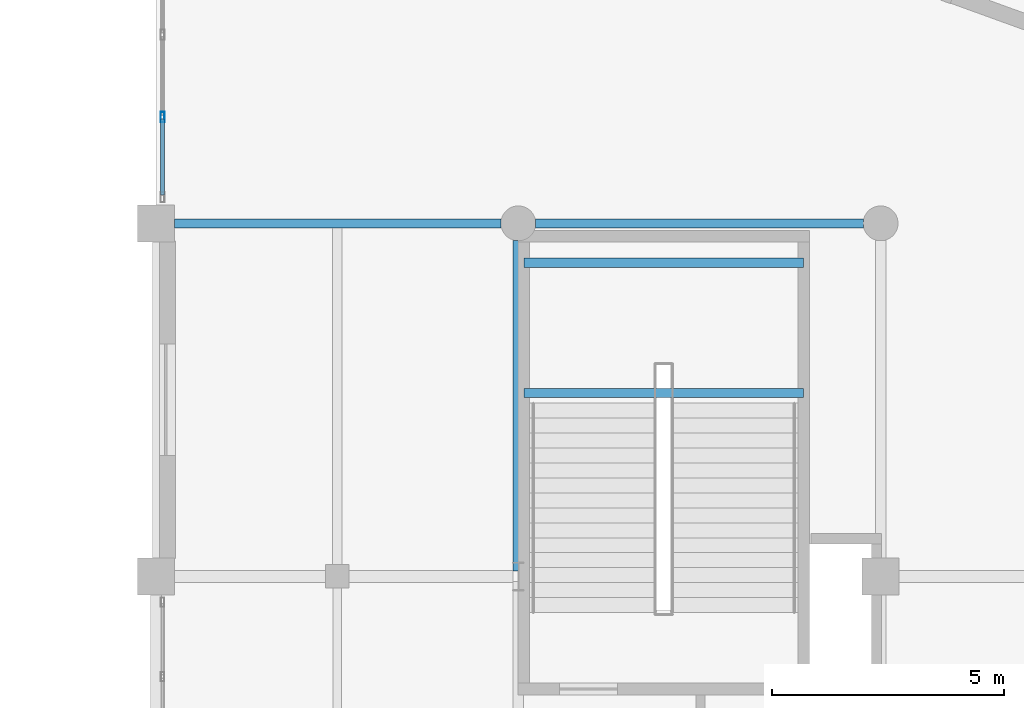
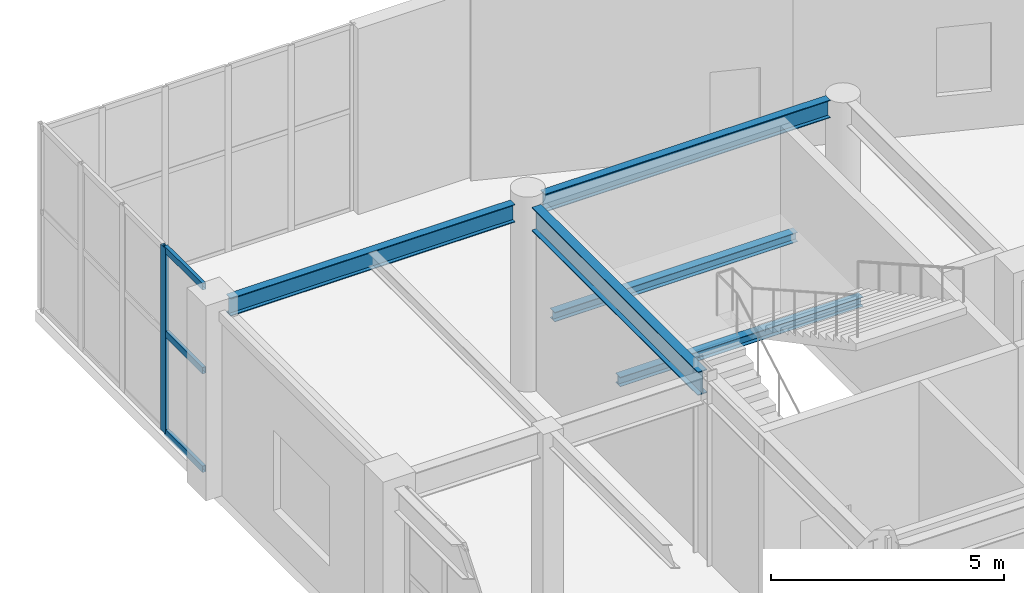
# One storey, part 83 of 128: 5 beams, 4 members, 1 element without a shape of its own.
"""IFC4 building model written with IfcOpenShell, lengths in metres."""

from ifc_helpers import new_model, si_unit, direction, frame, origin, origin_2d, place, context, subcontext, project, spatial, hollow_rectangle, i_section, extrude, material, layer, layer_set, material_profile, profile_set, type_object, element, aggregate, save


model = new_model("IFC4")

# Units and contexts
model_context = context("Model", 3, precision=1e-05, world=origin(), true_north=direction((0.0, 1.0)))
body_context = subcontext(model_context, "Body", "Model", "MODEL_VIEW")
ifc_project = project(units=[si_unit("LENGTHUNIT", "METRE"), si_unit("AREAUNIT", "SQUARE_METRE"), si_unit("VOLUMEUNIT", "CUBIC_METRE"), si_unit("PLANEANGLEUNIT", "RADIAN"), si_unit("MASSUNIT", "GRAM", prefix="KILO")], contexts=[model_context])

# Site, building, storey
site_placement = place(None, origin())
site = spatial("IfcSite", under=ifc_project, at=site_placement, CompositionType="ELEMENT")
building_placement = place(site_placement, origin())
building = spatial("IfcBuilding", under=site, at=building_placement, Name="Xicomal Pleat Aquarium", CompositionType="ELEMENT")
storey_placement = place(building_placement, frame((0.0, 0.0, 5.39990234375)))
storey = spatial("IfcBuildingStorey", under=building, at=storey_placement, Name="L02", CompositionType="ELEMENT", Elevation=5.39990234375)

# Beams
ifc_material_1 = material(Name="Structural steel A992 Gr 50", Category="steel")
ifc_material_profile_1 = material_profile(ifc_material_1, i_section(OverallWidth=0.201904296875, OverallDepth=0.2470703125, WebThickness=0.00732421875, FlangeThickness=0.010986328125, at=origin_2d()), Name="IR 250x49")
ifc_profile_set_1 = profile_set([ifc_material_profile_1], Name="Structural steel A992 Gr 50")
beam_type_1 = type_object("IfcBeamType", Name="BM-STL-IR250", PredefinedType="JOIST", material=ifc_profile_set_1)
for number, where, z_axis, x_axis, name in (
    (1, (141.719970703125, 29.550048828125, 2.22900390625), (1.0, 0.0, 0.0), (0.0, 1.0, 0.0), "ST-08-L02 half-landing bearer beam 1"),
    (2, (141.719970703125, 26.748046875, 2.22900390625), (1.0, 0.0, 0.0), (0.0, 1.0, 0.0), "ST-08-L02 half-landing bearer beam 2"),
):
    element("IfcBeam", number, at=place(storey_placement, frame(where, z_axis=z_axis, x_axis=x_axis)), inside=storey, type_object=beam_type_1, Name=name, PredefinedType="JOIST", context=body_context, shape_type="SweptSolid", body=[
        extrude(i_section(OverallWidth=0.201904296875, OverallDepth=0.2470703125, WebThickness=0.00732421875, FlangeThickness=0.010986328125, at=origin_2d()), origin(), (0.0, 0.0, 1.0), 6.02001953125),
    ])
ifc_material_2 = material(Name="Structural steel A992 Gr 50", Category="steel")
ifc_material_profile_2 = material_profile(ifc_material_2, i_section(OverallWidth=0.194091796875, OverallDepth=0.468994140625, WebThickness=0.0126953125, FlangeThickness=0.0205078125, at=origin_2d()), Name="IR 460x106")
ifc_profile_set_2 = profile_set([ifc_material_profile_2], Name="Structural steel A992 Gr 50")
beam_type_2 = type_object("IfcBeamType", Name="BM-STL-IR460", PredefinedType="BEAM", material=ifc_profile_set_2)
beam_1_placement = place(storey_placement, frame((134.195068359375, 30.39990234375, 4.605712890625), z_axis=(1.0, 0.0, 0.0), x_axis=(0.0, 1.0, 0.0)))
element("IfcBeam", 3, at=beam_1_placement, inside=storey, type_object=beam_type_2, Name="L02 framing beam FGX-L02-17-18-E", PredefinedType="BEAM", context=body_context, shape_type="SweptSolid", body=[
    extrude(i_section(OverallWidth=0.194091796875, OverallDepth=0.468994140625, WebThickness=0.0126953125, FlangeThickness=0.0205078125, at=origin_2d()), origin(), (0.0, 0.0, 1.0), 7.034912109375),
])
beam_2_placement = place(storey_placement, frame((141.969970703125, 30.39990234375, 4.605712890625), z_axis=(1.0, 0.0, 0.0), x_axis=(0.0, 1.0, 0.0)))
element("IfcBeam", 4, at=beam_2_placement, inside=storey, type_object=beam_type_2, Name="L02 framing beam FGX-L02-18-19-E", PredefinedType="BEAM", context=body_context, shape_type="SweptSolid", body=[
    extrude(i_section(OverallWidth=0.194091796875, OverallDepth=0.468994140625, WebThickness=0.0126953125, FlangeThickness=0.0205078125, at=origin_2d()), origin(), (0.0, 0.0, 1.0), 7.06005859375),
])
ifc_material_3 = material(Name="Structural steel A992 Gr 50", Category="steel")
ifc_material_profile_3 = material_profile(ifc_material_3, i_section(OverallWidth=0.22998046875, OverallDepth=0.616943359375, WebThickness=0.01318359375, FlangeThickness=0.022216796875, at=origin_2d()), Name="IR 610x140")
ifc_profile_set_3 = profile_set([ifc_material_profile_3], Name="Structural steel A992 Gr 50")
beam_type_3 = type_object("IfcBeamType", Name="BM-STL-IR610", PredefinedType="BEAM", material=ifc_profile_set_3)
beam_3_placement = place(storey_placement, frame((141.60009765625, 22.909912109375, 4.531494140625), z_axis=(0.0, 1.0, 0.0), x_axis=(-1.0, 0.0, 0.0)))
element("IfcBeam", 5, at=beam_3_placement, inside=storey, type_object=beam_type_3, Name="L02 framing beam FGY-L02-18-D-E", PredefinedType="BEAM", context=body_context, shape_type="SweptSolid", body=[
    extrude(i_section(OverallWidth=0.22998046875, OverallDepth=0.616943359375, WebThickness=0.01318359375, FlangeThickness=0.022216796875, at=origin_2d()), origin(), (0.0, 0.0, 1.0), 7.1201171875),
])

# Curtain wall, members
ifc_material_4 = material(Name="Bronze anodized aluminium 6063-T6", Category="aluminium")
ifc_layer = layer(ifc_material_4, 0.159912109375)
ifc_layer_set = layer_set([ifc_layer], Name="Bronze anodized aluminium 6063-T6")
curtain_wall_type = type_object("IfcCurtainWallType", Name="CW-SYS-12", PredefinedType="NOTDEFINED", material=ifc_layer_set)
curtain_wall_placement = place(storey_placement, origin())
curtain_wall = element("IfcCurtainWall", 6, at=curtain_wall_placement, inside=storey, type_object=curtain_wall_type, Name="L02 unitised curtain wall CW-L02-080", PredefinedType="NOTDEFINED")
ifc_material_5 = material(Name="Bronze anodized aluminium 6063-T6", Category="aluminium")
ifc_material_profile_4 = material_profile(ifc_material_5, hollow_rectangle(XDim=0.0849609375, YDim=0.219970703125, WallThickness=0.0048828125, at=origin_2d()), Name="ALU MULL 85x220")
ifc_profile_set_4 = profile_set([ifc_material_profile_4], Name="Bronze anodized aluminium 6063-T6")
member_type_1 = type_object("IfcMemberType", Name="CWM-85x220", PredefinedType="MULLION", material=ifc_profile_set_4)
member_1_placement = place(storey_placement, frame((133.93994140625, 32.68994140625, 0.0), z_axis=(0.0, 0.0, 1.0), x_axis=(-1.0, 0.0, 0.0)))
member_1 = element("IfcMember", 7, at=member_1_placement, type_object=member_type_1, Name="CW-12 mullion 2", PredefinedType="MULLION", context=body_context, shape_type="SweptSolid", body=[
    extrude(hollow_rectangle(XDim=0.0849609375, YDim=0.219970703125, WallThickness=0.0048828125, at=origin_2d()), origin(), (0.0, 0.0, 1.0), 4.860107421875),
])
ifc_material_6 = material(Name="Bronze anodized aluminium 6063-T6", Category="aluminium")
ifc_material_profile_5 = material_profile(ifc_material_6, hollow_rectangle(XDim=0.0849609375, YDim=0.169921875, WallThickness=0.0048828125, at=origin_2d()), Name="ALU TRAN 85x170")
ifc_profile_set_5 = profile_set([ifc_material_profile_5], Name="Bronze anodized aluminium 6063-T6")
member_type_2 = type_object("IfcMemberType", Name="CWT-85x170", PredefinedType="USERDEFINED", material=ifc_profile_set_5)
member_2_placement = place(storey_placement, frame((133.93994140625, 31.0048828125, 0.04248046875), z_axis=(0.0, 1.0, 0.0), x_axis=(-1.0, 0.0, 0.0)))
member_2 = element("IfcMember", 8, at=member_2_placement, type_object=member_type_2, Name="CW-12 transom 1.1", ObjectType="TRANSOM", PredefinedType="USERDEFINED", context=body_context, shape_type="SweptSolid", body=[
    extrude(hollow_rectangle(XDim=0.0849609375, YDim=0.169921875, WallThickness=0.0048828125, at=origin_2d()), origin(), (0.0, 0.0, 1.0), 1.642578125),
])
member_3_placement = place(storey_placement, frame((133.93994140625, 31.0048828125, 2.6240234375), z_axis=(0.0, 1.0, 0.0), x_axis=(-1.0, 0.0, 0.0)))
member_3 = element("IfcMember", 9, at=member_3_placement, type_object=member_type_2, Name="CW-12 transom 1.2", ObjectType="TRANSOM", PredefinedType="USERDEFINED", context=body_context, shape_type="SweptSolid", body=[
    extrude(hollow_rectangle(XDim=0.0849609375, YDim=0.169921875, WallThickness=0.0048828125, at=origin_2d()), origin(), (0.0, 0.0, 1.0), 1.642578125),
])
member_4_placement = place(storey_placement, frame((133.93994140625, 31.0048828125, 4.817626953125), z_axis=(0.0, 1.0, 0.0), x_axis=(-1.0, 0.0, 0.0)))
member_4 = element("IfcMember", 10, at=member_4_placement, type_object=member_type_2, Name="CW-12 transom 1.3", ObjectType="TRANSOM", PredefinedType="USERDEFINED", context=body_context, shape_type="SweptSolid", body=[
    extrude(hollow_rectangle(XDim=0.0849609375, YDim=0.169921875, WallThickness=0.0048828125, at=origin_2d()), origin(), (0.0, 0.0, 1.0), 1.642578125),
])
aggregate(curtain_wall, [member_1, member_2, member_3, member_4])

save(model, "model.ifc")
